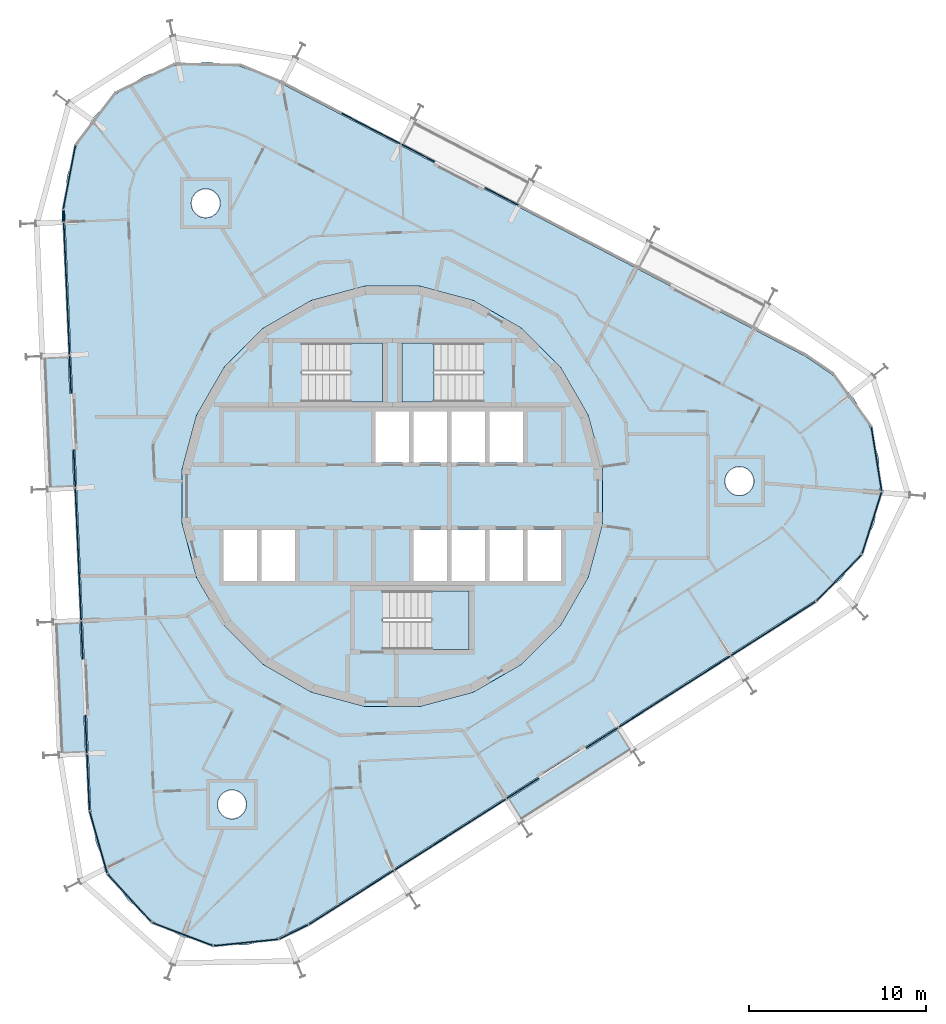
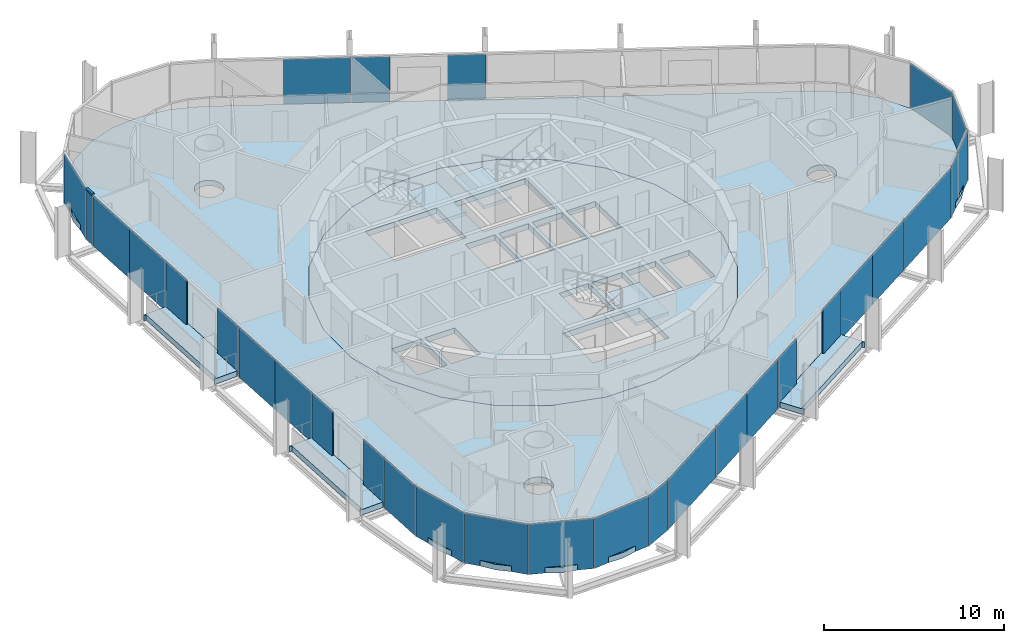
# One storey, part 10 of 17: 30 plates, 8 slabs, 1 member, 9 elements without a shape of their own.
"""IFC4 building model written with IfcOpenShell, lengths in metres."""

from ifc_helpers import new_model, si_unit, direction, frame, origin, origin_2d, place, context, subcontext, project, spatial, polyline, rectangle, outline, extrude, material, layer, layer_set, material_profile, profile_set, type_object, element, aggregate, save


model = new_model("IFC4")

# Units and contexts
model_context = context("Model", 3, precision=1e-05, world=origin(), true_north=direction((0.0, 1.0)))
body_context = subcontext(model_context, "Body", "Model", "MODEL_VIEW")
ifc_project = project(units=[si_unit("LENGTHUNIT", "METRE"), si_unit("AREAUNIT", "SQUARE_METRE"), si_unit("VOLUMEUNIT", "CUBIC_METRE"), si_unit("PLANEANGLEUNIT", "RADIAN"), si_unit("MASSUNIT", "GRAM", prefix="KILO")], contexts=[model_context])

# Site, building, storey
site_placement = place(None, origin())
site = spatial("IfcSite", under=ifc_project, at=site_placement, CompositionType="ELEMENT")
building_placement = place(site_placement, origin())
building = spatial("IfcBuilding", under=site, at=building_placement, Name="Spindle Arch Residences", CompositionType="ELEMENT")
storey_placement = place(building_placement, frame((0.0, 0.0, 237.199951171875)))
storey = spatial("IfcBuildingStorey", under=building, at=storey_placement, Name="L60", CompositionType="ELEMENT", Elevation=237.199951171875)

# Curtain wall, member
ifc_material_1 = material(Name="Aluminium bronze unitised frame with tinted glass", Category="aluminium")
ifc_layer_1 = layer(ifc_material_1, 0.159912109375)
ifc_layer_set_1 = layer_set([ifc_layer_1], Name="CW-D corner wall on the fillet arcs")
curtain_wall_type_1 = type_object("IfcCurtainWallType", Name="CW-D corner wall on the fillet arcs", PredefinedType="NOTDEFINED", material=ifc_layer_set_1)
curtain_wall_1_placement = place(storey_placement, origin())
curtain_wall_1 = element("IfcCurtainWall", 1, at=curtain_wall_1_placement, inside=storey, type_object=curtain_wall_type_1, Name="CW-D L60 run 3", PredefinedType="NOTDEFINED")
ifc_material_2 = material(Name="Aluminium bronze anodised transom", Category="aluminium")
ifc_material_profile = material_profile(ifc_material_2, rectangle(XDim=0.159912109375, YDim=0.1201171875, at=origin_2d()), Name="TR 120x160")
ifc_profile_set = profile_set([ifc_material_profile], Name="Aluminium bronze anodised transom")
member_type = type_object("IfcMemberType", Name="Bronze transom 120x160", PredefinedType="USERDEFINED", material=ifc_profile_set)
member_placement = place(storey_placement, frame((-18.638916015625, 16.2060546875, 3.06005859375), z_axis=(0.043372874815, -0.999058954081, 0.0), x_axis=(0.999058954081, 0.043372874815, 0.0)))
member = element("IfcMember", 2, at=member_placement, type_object=member_type, Name="CW-D transom 05", ObjectType="TRANSOM", PredefinedType="USERDEFINED", context=body_context, shape_type="SweptSolid", body=[
    extrude(rectangle(XDim=0.159912109375, YDim=0.1201171875, at=origin_2d()), origin(), (0.0, 0.0, 1.0), 0.65869140625),
])

# Slabs
ifc_material_3 = material(Name="Concrete C40/50", Category="concrete")
ifc_layer_2 = layer(ifc_material_3, 0.3798828125)
ifc_layer_set_2 = layer_set([ifc_layer_2], Name="Balcony slab 380")
slab_type_1 = type_object("IfcSlabType", Name="Balcony slab 380", PredefinedType="FLOOR", material=ifc_layer_set_2)
slab_1_placement = place(storey_placement, frame((0.0, 0.0, -0.3798828125)))
element("IfcSlab", 3, at=slab_1_placement, inside=storey, type_object=slab_type_1, Name="Balcony L60 bay 14", PredefinedType="FLOOR", context=body_context, shape_type="SweptSolid", body=[
    extrude(outline(polyline([(-19.845703125, 7.851806640625), (-19.842529296875, 7.777099609375), (-19.692626953125, 7.783447265625), (-19.377197265625, 0.560302734375), (-19.527099609375, 0.5537109375), (-19.52392578125, 0.478759765625), (-18.03515625, 0.5439453125), (-18.12646484375, 2.6318359375), (-17.966552734375, 2.638916015625), (-18.106201171875, 5.8359375), (-18.265869140625, 5.828857421875), (-18.357177734375, 7.9169921875), (-19.845703125, 7.851806640625)])), origin(), (0.0, 0.0, 1.0), 0.3798828125),
])
slab_2_placement = place(storey_placement, frame((0.0, 0.0, -0.3798828125)))
element("IfcSlab", 4, at=slab_2_placement, inside=storey, type_object=slab_type_1, Name="Balcony L60 bay 16", PredefinedType="FLOOR", context=body_context, shape_type="SweptSolid", body=[
    extrude(outline(polyline([(-19.188720703125, -7.19384765625), (-19.185546875, -7.268798828125), (-19.03564453125, -7.26220703125), (-18.72021484375, -14.485595703125), (-18.8701171875, -14.491943359375), (-18.866943359375, -14.56689453125), (-17.37841796875, -14.501953125), (-17.469482421875, -12.413818359375), (-17.3095703125, -12.406982421875), (-17.44921875, -9.2099609375), (-17.609130859375, -9.217041015625), (-17.7001953125, -7.12890625), (-19.188720703125, -7.19384765625)])), origin(), (0.0, 0.0, 1.0), 0.3798828125),
])
slab_3_placement = place(storey_placement, frame((0.0, 0.0, -0.3798828125)))
element("IfcSlab", 5, at=slab_3_placement, inside=storey, type_object=slab_type_1, Name="Balcony L60 bay 22", PredefinedType="FLOOR", context=body_context, shape_type="SweptSolid", body=[
    extrude(outline(polyline([(7.356689453125, -18.41552734375), (7.419921875, -18.375244140625), (7.33935546875, -18.248779296875), (13.437255859375, -14.364013671875), (13.517822265625, -14.490478515625), (13.5810546875, -14.4501953125), (12.780517578125, -13.193603515625), (11.017822265625, -14.316650390625), (10.931884765625, -14.181640625), (8.23291015625, -15.901123046875), (8.31884765625, -16.035888671875), (6.55615234375, -17.158935546875), (7.356689453125, -18.41552734375)])), origin(), (0.0, 0.0, 1.0), 0.3798828125),
])
ifc_material_4 = material(Name="Concrete C50/60", Category="concrete")
ifc_layer_3 = layer(ifc_material_4, 0.3798828125)
ifc_layer_set_3 = layer_set([ifc_layer_3], Name="Core floor slab 380")
slab_type_2 = type_object("IfcSlabType", Name="Core floor slab 380", PredefinedType="FLOOR", material=ifc_layer_set_3)
slab_4_placement = place(storey_placement, frame((0.0, 0.0, -0.3798828125)))
element("IfcSlab", 6, at=slab_4_placement, inside=storey, type_object=slab_type_2, Name="Core floor L60", PredefinedType="FLOOR", context=body_context, shape_type="SweptSolid", body=[
    extrude(outline(polyline([(1.56640625, -11.897216796875), (4.59228515625, -11.086669921875), (7.30517578125, -9.520263671875), (9.520263671875, -7.30517578125), (11.086669921875, -4.59228515625), (11.897216796875, -1.56640625), (11.897216796875, 1.56640625), (11.086669921875, 4.59228515625), (9.520263671875, 7.30517578125), (7.30517578125, 9.520263671875), (4.59228515625, 11.086669921875), (1.56640625, 11.897216796875), (-1.56640625, 11.897216796875), (-4.59228515625, 11.086669921875), (-7.30517578125, 9.520263671875), (-9.520263671875, 7.30517578125), (-11.086669921875, 4.59228515625), (-11.897216796875, 1.56640625), (-11.897216796875, -1.56640625), (-11.086669921875, -4.59228515625), (-9.520263671875, -7.30517578125), (-7.30517578125, -9.520263671875), (-4.59228515625, -11.086669921875), (-1.56640625, -11.897216796875), (1.56640625, -11.897216796875)]), holes=[polyline([(-0.949951171875, 1.89990234375), (0.949951171875, 1.89990234375), (0.949951171875, 4.800048828125), (-0.949951171875, 4.800048828125), (-0.949951171875, 1.89990234375)]), polyline([(1.199951171875, 1.89990234375), (3.10009765625, 1.89990234375), (3.10009765625, 4.800048828125), (1.199951171875, 4.800048828125), (1.199951171875, 1.89990234375)]), polyline([(3.35009765625, 1.89990234375), (5.25, 1.89990234375), (5.25, 4.800048828125), (3.35009765625, 4.800048828125), (3.35009765625, 1.89990234375)]), polyline([(5.5, 1.89990234375), (7.39990234375, 1.89990234375), (7.39990234375, 4.800048828125), (5.5, 4.800048828125), (5.5, 1.89990234375)]), polyline([(-9.550048828125, -4.800048828125), (-7.64990234375, -4.800048828125), (-7.64990234375, -1.89990234375), (-9.550048828125, -1.89990234375), (-9.550048828125, -4.800048828125)]), polyline([(-7.39990234375, -4.800048828125), (-5.5, -4.800048828125), (-5.5, -1.89990234375), (-7.39990234375, -1.89990234375), (-7.39990234375, -4.800048828125)]), polyline([(1.199951171875, -4.800048828125), (3.10009765625, -4.800048828125), (3.10009765625, -1.89990234375), (1.199951171875, -1.89990234375), (1.199951171875, -4.800048828125)]), polyline([(3.35009765625, -4.800048828125), (5.25, -4.800048828125), (5.25, -1.89990234375), (3.35009765625, -1.89990234375), (3.35009765625, -4.800048828125)]), polyline([(5.5, -4.800048828125), (7.39990234375, -4.800048828125), (7.39990234375, -1.89990234375), (5.5, -1.89990234375), (5.5, -4.800048828125)]), polyline([(7.64990234375, -4.800048828125), (9.550048828125, -4.800048828125), (9.550048828125, -1.89990234375), (7.64990234375, -1.89990234375), (7.64990234375, -4.800048828125)]), polyline([(5.1298828125, 8.669921875), (0.550048828125, 8.669921875), (0.550048828125, 5.35009765625), (5.1298828125, 5.35009765625), (5.1298828125, 8.669921875)]), polyline([(-5.1298828125, 5.35009765625), (-0.550048828125, 5.35009765625), (-0.550048828125, 8.669921875), (-5.1298828125, 8.669921875), (-5.1298828125, 5.35009765625)]), polyline([(-0.530029296875, -8.669921875), (4.35009765625, -8.669921875), (4.35009765625, -5.35009765625), (-0.530029296875, -5.35009765625), (-0.530029296875, -8.669921875)])]), origin(), (0.0, 0.0, 1.0), 0.3798828125),
])

# Stair, slab
ifc_material_5 = material(Name="Concrete C50/60", Category="concrete")
stair_type = type_object("IfcStairType", Name="Exit stair 16 risers", PredefinedType="HALF_TURN_STAIR", material=ifc_material_5)
stair_1_placement = place(storey_placement, origin())
stair_1 = element("IfcStair", 7, at=stair_1_placement, inside=storey, type_object=stair_type, Name="L60 Exit stair ST1", PredefinedType="HALF_TURN_STAIR")
ifc_material_6 = material(Name="Concrete C50/60", Category="concrete")
ifc_layer_4 = layer(ifc_material_6, 0.219970703125)
ifc_layer_set_4 = layer_set([ifc_layer_4], Name="Exit stair landing 220")
slab_type_3 = type_object("IfcSlabType", Name="Exit stair landing 220", PredefinedType="LANDING", material=ifc_layer_set_4)
slab_5_placement = place(storey_placement, frame((0.0, 0.0, 1.530029296875)))
slab_5 = element("IfcSlab", 8, at=slab_5_placement, type_object=slab_type_3, Name="ST1 landing 1", PredefinedType="LANDING", context=body_context, shape_type="SweptSolid", body=[
    extrude(outline(polyline([(2.3701171875, 8.669921875), (0.550048828125, 8.669921875), (0.550048828125, 5.35009765625), (2.3701171875, 5.35009765625), (2.3701171875, 8.669921875)])), origin(), (0.0, 0.0, 1.0), 0.219970703125),
])
aggregate(stair_1, [slab_5])

stair_2_placement = place(storey_placement, origin())
stair_2 = element("IfcStair", 9, at=stair_2_placement, inside=storey, type_object=stair_type, Name="L60 Exit stair ST2", PredefinedType="HALF_TURN_STAIR")
slab_6_placement = place(storey_placement, frame((0.0, 0.0, 1.530029296875)))
slab_6 = element("IfcSlab", 10, at=slab_6_placement, type_object=slab_type_3, Name="ST2 landing 1", PredefinedType="LANDING", context=body_context, shape_type="SweptSolid", body=[
    extrude(outline(polyline([(-2.3701171875, 5.35009765625), (-0.550048828125, 5.35009765625), (-0.550048828125, 8.669921875), (-2.3701171875, 8.669921875), (-2.3701171875, 5.35009765625)])), origin(), (0.0, 0.0, 1.0), 0.219970703125),
])
aggregate(stair_2, [slab_6])

stair_3_placement = place(storey_placement, origin())
stair_3 = element("IfcStair", 11, at=stair_3_placement, inside=storey, type_object=stair_type, Name="L60 Exit stair ST3", PredefinedType="HALF_TURN_STAIR")
slab_7_placement = place(storey_placement, frame((0.0, 0.0, 1.530029296875)))
slab_7 = element("IfcSlab", 12, at=slab_7_placement, type_object=slab_type_3, Name="ST3 landing 1", PredefinedType="LANDING", context=body_context, shape_type="SweptSolid", body=[
    extrude(outline(polyline([(2.22998046875, -8.669921875), (4.35009765625, -8.669921875), (4.35009765625, -5.35009765625), (2.22998046875, -5.35009765625), (2.22998046875, -8.669921875)])), origin(), (0.0, 0.0, 1.0), 0.219970703125),
])
aggregate(stair_3, [slab_7])

# Slab
ifc_material_7 = material(Name="Concrete C40/50", Category="concrete")
ifc_layer_5 = layer(ifc_material_7, 0.3798828125)
ifc_layer_set_5 = layer_set([ifc_layer_5], Name="Floor slab 380")
slab_type_4 = type_object("IfcSlabType", Name="Floor slab 380", PredefinedType="FLOOR", material=ifc_layer_set_5)
slab_8_placement = place(storey_placement, frame((0.0, 0.0, -0.3798828125)))
element("IfcSlab", 13, at=slab_8_placement, inside=storey, type_object=slab_type_4, Name="Floor slab L60", PredefinedType="FLOOR", context=body_context, shape_type="SweptSolid", body=[
    extrude(outline(polyline([(-6.45556640625, -25.0029296875), (-8.268798828125, -25.40478515625), (-10.126220703125, -25.3779296875), (-11.92724609375, -24.92333984375), (-13.57470703125, -24.065673828125), (-14.980224609375, -22.85107421875), (-16.067626953125, -21.34521484375), (-16.778564453125, -19.629150390625), (-17.074462890625, -17.79541015625), (-18.560302734375, 16.239501953125), (-18.42529296875, 18.092041015625), (-17.866943359375, 19.863525390625), (-16.914794921875, 21.45849609375), (-15.62060546875, 22.791015625), (-14.053955078125, 23.788818359375), (-12.299560546875, 24.398681640625), (-10.45166015625, 24.587646484375), (-8.610107421875, 24.34521484375), (-6.8740234375, 23.6845703125), (23.343994140625, 7.9541015625), (24.880859375, 6.910888671875), (26.1357421875, 5.54150390625), (27.041015625, 3.91943359375), (27.5478515625, 2.13232421875), (27.62890625, 0.276611328125), (27.27978515625, -1.547607421875), (26.519287109375, -3.242431640625), (25.388427734375, -4.716064453125), (23.948486328125, -5.88916015625), (9.58251953125, -15.041259765625), (-4.78369140625, -24.193603515625), (-6.45556640625, -25.0029296875)]), holes=[polyline([(7.30517578125, -9.520263671875), (9.520263671875, -7.30517578125), (11.086669921875, -4.59228515625), (11.897216796875, -1.56640625), (11.897216796875, 1.56640625), (11.086669921875, 4.59228515625), (9.520263671875, 7.30517578125), (7.30517578125, 9.520263671875), (4.59228515625, 11.086669921875), (1.56640625, 11.897216796875), (-1.56640625, 11.897216796875), (-4.59228515625, 11.086669921875), (-7.30517578125, 9.520263671875), (-9.520263671875, 7.30517578125), (-11.086669921875, 4.59228515625), (-11.897216796875, 1.56640625), (-11.897216796875, -1.56640625), (-11.086669921875, -4.59228515625), (-9.520263671875, -7.30517578125), (-7.30517578125, -9.520263671875), (-4.59228515625, -11.086669921875), (-1.56640625, -11.897216796875), (1.56640625, -11.897216796875), (4.59228515625, -11.086669921875), (7.30517578125, -9.520263671875)]), polyline([(-8.39599609375, -17.904541015625), (-8.31982421875, -17.761962890625), (-8.27294921875, -17.607177734375), (-8.257080078125, -17.4462890625), (-8.27294921875, -17.285400390625), (-8.31982421875, -17.130615234375), (-8.39599609375, -16.988037109375), (-8.49853515625, -16.86279296875), (-8.623779296875, -16.76025390625), (-8.766357421875, -16.68408203125), (-8.921142578125, -16.63720703125), (-9.08203125, -16.621337890625), (-9.242919921875, -16.63720703125), (-9.397705078125, -16.68408203125), (-9.540283203125, -16.76025390625), (-9.665283203125, -16.86279296875), (-9.76806640625, -16.988037109375), (-9.84423828125, -17.130615234375), (-9.89111328125, -17.285400390625), (-9.906982421875, -17.4462890625), (-9.89111328125, -17.607177734375), (-9.84423828125, -17.761962890625), (-9.76806640625, -17.904541015625), (-9.665283203125, -18.02978515625), (-9.540283203125, -18.13232421875), (-9.397705078125, -18.20849609375), (-9.242919921875, -18.25537109375), (-9.08203125, -18.271240234375), (-8.921142578125, -18.25537109375), (-8.766357421875, -18.20849609375), (-8.623779296875, -18.13232421875), (-8.49853515625, -18.02978515625), (-8.39599609375, -17.904541015625)]), polyline([(-9.882080078125, 16.130126953125), (-9.805908203125, 16.272705078125), (-9.7587890625, 16.427490234375), (-9.742919921875, 16.58837890625), (-9.7587890625, 16.749267578125), (-9.805908203125, 16.904052734375), (-9.882080078125, 17.046630859375), (-9.984619140625, 17.171875), (-10.109619140625, 17.2744140625), (-10.252197265625, 17.3505859375), (-10.406982421875, 17.3974609375), (-10.568115234375, 17.413330078125), (-10.72900390625, 17.3974609375), (-10.8837890625, 17.3505859375), (-11.0263671875, 17.2744140625), (-11.1513671875, 17.171875), (-11.25390625, 17.046630859375), (-11.330078125, 16.904052734375), (-11.377197265625, 16.749267578125), (-11.39306640625, 16.58837890625), (-11.377197265625, 16.427490234375), (-11.330078125, 16.272705078125), (-11.25390625, 16.130126953125), (-11.1513671875, 16.0048828125), (-11.0263671875, 15.90234375), (-10.8837890625, 15.826171875), (-10.72900390625, 15.779296875), (-10.568115234375, 15.763427734375), (-10.406982421875, 15.779296875), (-10.252197265625, 15.826171875), (-10.109619140625, 15.90234375), (-9.984619140625, 16.0048828125), (-9.882080078125, 16.130126953125)]), polyline([(20.2333984375, 0.2744140625), (20.3359375, 0.399658203125), (20.412109375, 0.542236328125), (20.458984375, 0.697021484375), (20.47509765625, 0.85791015625), (20.458984375, 1.018798828125), (20.412109375, 1.173583984375), (20.3359375, 1.316162109375), (20.2333984375, 1.44140625), (20.1083984375, 1.5439453125), (19.9658203125, 1.6201171875), (19.810791015625, 1.6669921875), (19.64990234375, 1.682861328125), (19.489013671875, 1.6669921875), (19.334228515625, 1.6201171875), (19.191650390625, 1.5439453125), (19.066650390625, 1.44140625), (18.964111328125, 1.316162109375), (18.8876953125, 1.173583984375), (18.8408203125, 1.018798828125), (18.824951171875, 0.85791015625), (18.8408203125, 0.697021484375), (18.8876953125, 0.542236328125), (18.964111328125, 0.399658203125), (19.066650390625, 0.2744140625), (19.191650390625, 0.171875), (19.334228515625, 0.095703125), (19.489013671875, 0.048828125), (19.64990234375, 0.032958984375), (19.810791015625, 0.048828125), (19.9658203125, 0.095703125), (20.1083984375, 0.171875), (20.2333984375, 0.2744140625)])]), origin(), (0.0, 0.0, 1.0), 0.3798828125),
])

# Curtain wall, plates
curtain_wall_2_placement = place(storey_placement, origin())
curtain_wall_2 = element("IfcCurtainWall", 14, at=curtain_wall_2_placement, inside=storey, type_object=curtain_wall_type_1, Name="CW-D L60 run 1", PredefinedType="NOTDEFINED")
ifc_material_8 = material(Name="Tinted double glazing over aluminium faced non-combustible spandrel zone (K0)", Category="aluminium")
ifc_layer_6 = layer(ifc_material_8, 0.06005859375)
ifc_layer_set_6 = layer_set([ifc_layer_6], Name="Unitised glass panel with E 60 spandrel zone")
plate_type = type_object("IfcPlateType", Name="Unitised glass panel with E 60 spandrel zone", PredefinedType="CURTAIN_PANEL", material=ifc_layer_set_6)
plate_1_placement = place(storey_placement, frame((21.571533203125, -7.498291015625, -0.3798828125), z_axis=(0.0, 0.0, 1.0), x_axis=(0.843391445813, 0.537299608347, 0.0)))
plate_1 = element("IfcPlate", 15, at=plate_1_placement, type_object=plate_type, Name="CW-D unit 00", PredefinedType="CURTAIN_PANEL", context=body_context, shape_type="SweptSolid", body=[
    extrude(rectangle(XDim=5.678466796875, YDim=0.06005859375, at=origin_2d()), origin(), (0.0, 0.0, 1.0), 3.3798828125),
])
plate_2_placement = place(storey_placement, frame((25.28955078125, -4.6201171875, -0.3798828125), z_axis=(0.0, 0.0, 1.0), x_axis=(0.696747904692, 0.71731607908, 0.0)))
plate_2 = element("IfcPlate", 16, at=plate_2_placement, type_object=plate_type, Name="CW-D unit 01", PredefinedType="CURTAIN_PANEL", context=body_context, shape_type="SweptSolid", body=[
    extrude(rectangle(XDim=3.666748046875, YDim=0.06005859375, at=origin_2d()), origin(), (0.0, 0.0, 1.0), 3.3798828125),
])
plate_3_placement = place(storey_placement, frame((27.148193359375, -1.50634765625, -0.3798828125), z_axis=(0.0, 0.0, 1.0), x_axis=(0.300705803932, 0.953716949352, 0.0)))
plate_3 = element("IfcPlate", 17, at=plate_3_placement, type_object=plate_type, Name="CW-D unit 02", PredefinedType="CURTAIN_PANEL", context=body_context, shape_type="SweptSolid", body=[
    extrude(rectangle(XDim=3.666748046875, YDim=0.06005859375, at=origin_2d()), origin(), (0.0, 0.0, 1.0), 3.3798828125),
])
plate_4_placement = place(storey_placement, frame((27.411865234375, 2.1103515625, -0.3798828125), z_axis=(0.0, 0.0, 1.0), x_axis=(-0.15930686075, 0.987229114298, 0.0)))
plate_4 = element("IfcPlate", 18, at=plate_4_placement, type_object=plate_type, Name="CW-D unit 03", PredefinedType="CURTAIN_PANEL", context=body_context, shape_type="SweptSolid", body=[
    extrude(rectangle(XDim=3.666748046875, YDim=0.06005859375, at=origin_2d()), origin(), (0.0, 0.0, 1.0), 3.3798828125),
])
aggregate(curtain_wall_2, [plate_1, plate_2, plate_3, plate_4])

ifc_material_9 = material(Name="Aluminium bronze unitised frame with tinted glass", Category="aluminium")
ifc_layer_7 = layer(ifc_material_9, 0.159912109375)
ifc_layer_set_7 = layer_set([ifc_layer_7], Name="CW-C typical residential unitised wall")
curtain_wall_type_2 = type_object("IfcCurtainWallType", Name="CW-C typical residential unitised wall", PredefinedType="NOTDEFINED", material=ifc_layer_set_7)
curtain_wall_3_placement = place(storey_placement, origin())
curtain_wall_3 = element("IfcCurtainWall", 19, at=curtain_wall_3_placement, inside=storey, type_object=curtain_wall_type_2, Name="CW-C L60 run 2", PredefinedType="NOTDEFINED")
plate_5_placement = place(storey_placement, frame((6.185302734375, 16.9765625, -0.3798828125), z_axis=(0.0, 0.0, 1.0), x_axis=(-0.887010833178, 0.461748613235, 0.0)))
plate_5 = element("IfcPlate", 20, at=plate_5_placement, type_object=plate_type, Name="CW-C unit 07L", PredefinedType="CURTAIN_PANEL", context=body_context, shape_type="SweptSolid", body=[
    extrude(rectangle(XDim=2.135009765625, YDim=0.06005859375, at=origin_2d()), origin(), (0.0, 0.0, 1.0), 3.3798828125),
])
plate_6_placement = place(storey_placement, frame((1.452880859375, 19.43994140625, -0.3798828125), z_axis=(0.0, 0.0, 1.0), x_axis=(-0.887010833178, 0.461748613235, 0.0)))
plate_6 = element("IfcPlate", 21, at=plate_6_placement, type_object=plate_type, Name="CW-C unit 07R", PredefinedType="CURTAIN_PANEL", context=body_context, shape_type="SweptSolid", body=[
    extrude(rectangle(XDim=2.135009765625, YDim=0.06005859375, at=origin_2d()), origin(), (0.0, 0.0, 1.0), 3.3798828125),
])
plate_7_placement = place(storey_placement, frame((-1.20361328125, 20.822998046875, -0.3798828125), z_axis=(0.0, 0.0, 1.0), x_axis=(-0.887010833178, 0.461748613235, 0.0)))
plate_7 = element("IfcPlate", 22, at=plate_7_placement, type_object=plate_type, Name="CW-C unit 08A", PredefinedType="CURTAIN_PANEL", context=body_context, shape_type="SweptSolid", body=[
    extrude(rectangle(XDim=3.735107421875, YDim=0.06005859375, at=origin_2d()), origin(), (0.0, 0.0, 1.0), 3.3798828125),
])
aggregate(curtain_wall_3, [plate_5, plate_6, plate_7])

# Plate
plate_8_placement = place(storey_placement, frame((-18.2900390625, 18.066162109375, -0.3798828125), z_axis=(0.0, 0.0, 1.0), x_axis=(-0.187952756314, -0.982178070104, 0.0)))
plate_8 = element("IfcPlate", 23, at=plate_8_placement, type_object=plate_type, Name="CW-D unit 04", PredefinedType="CURTAIN_PANEL", context=body_context, shape_type="SweptSolid", body=[
    extrude(rectangle(XDim=3.666748046875, YDim=0.06005859375, at=origin_2d()), origin(), (0.0, 0.0, 1.0), 3.3798828125),
])

plate_9_placement = place(storey_placement, frame((-18.62451171875, 15.877197265625, -0.3798828125), z_axis=(0.0, 0.0, 1.0), x_axis=(0.043619387365, -0.999048221582, 0.0)))
plate_9 = element("IfcPlate", 24, at=plate_9_placement, type_object=plate_type, Name="CW-D unit 05", PredefinedType="CURTAIN_PANEL", context=body_context, shape_type="SweptSolid", body=[
    extrude(rectangle(XDim=0.658447265625, YDim=0.06005859375, at=origin_2d()), origin(), (0.0, 0.0, 1.0), 3.3798828125),
])

aggregate(curtain_wall_1, [plate_8, member, plate_9])

# Curtain wall, plates
curtain_wall_4_placement = place(storey_placement, origin())
curtain_wall_4 = element("IfcCurtainWall", 25, at=curtain_wall_4_placement, inside=storey, type_object=curtain_wall_type_2, Name="CW-C L60 run 4", PredefinedType="NOTDEFINED")
plate_10_placement = place(storey_placement, frame((-18.526123046875, 13.62255859375, -0.3798828125), z_axis=(0.0, 0.0, 1.0), x_axis=(0.043619387365, -0.999048221582, 0.0)))
plate_10 = element("IfcPlate", 26, at=plate_10_placement, type_object=plate_type, Name="CW-C unit 12A", PredefinedType="CURTAIN_PANEL", context=body_context, shape_type="SweptSolid", body=[
    extrude(rectangle(XDim=3.735107421875, YDim=0.06005859375, at=origin_2d()), origin(), (0.0, 0.0, 1.0), 3.3798828125),
])
plate_11_placement = place(storey_placement, frame((-18.36328125, 9.89111328125, -0.3798828125), z_axis=(0.0, 0.0, 1.0), x_axis=(0.043619387365, -0.999048221582, 0.0)))
plate_11 = element("IfcPlate", 27, at=plate_11_placement, type_object=plate_type, Name="CW-C unit 12B", PredefinedType="CURTAIN_PANEL", context=body_context, shape_type="SweptSolid", body=[
    extrude(rectangle(XDim=3.735107421875, YDim=0.06005859375, at=origin_2d()), origin(), (0.0, 0.0, 1.0), 3.3798828125),
])
plate_12_placement = place(storey_placement, frame((-18.232666015625, 6.89892578125, -0.3798828125), z_axis=(0.0, 0.0, 1.0), x_axis=(0.043619387365, -0.999048221582, 0.0)))
plate_12 = element("IfcPlate", 28, at=plate_12_placement, type_object=plate_type, Name="CW-C unit 13L", PredefinedType="CURTAIN_PANEL", context=body_context, shape_type="SweptSolid", body=[
    extrude(rectangle(XDim=2.135009765625, YDim=0.06005859375, at=origin_2d()), origin(), (0.0, 0.0, 1.0), 3.3798828125),
])
plate_13_placement = place(storey_placement, frame((-18.0, 1.56884765625, -0.3798828125), z_axis=(0.0, 0.0, 1.0), x_axis=(0.043619387365, -0.999048221582, 0.0)))
plate_13 = element("IfcPlate", 29, at=plate_13_placement, type_object=plate_type, Name="CW-C unit 13R", PredefinedType="CURTAIN_PANEL", context=body_context, shape_type="SweptSolid", body=[
    extrude(rectangle(XDim=2.135009765625, YDim=0.06005859375, at=origin_2d()), origin(), (0.0, 0.0, 1.0), 3.3798828125),
])
plate_14_placement = place(storey_placement, frame((-17.869384765625, -1.42333984375, -0.3798828125), z_axis=(0.0, 0.0, 1.0), x_axis=(0.043619387365, -0.999048221582, 0.0)))
plate_14 = element("IfcPlate", 30, at=plate_14_placement, type_object=plate_type, Name="CW-C unit 14A", PredefinedType="CURTAIN_PANEL", context=body_context, shape_type="SweptSolid", body=[
    extrude(rectangle(XDim=3.735107421875, YDim=0.06005859375, at=origin_2d()), origin(), (0.0, 0.0, 1.0), 3.3798828125),
])
plate_15_placement = place(storey_placement, frame((-17.706298828125, -5.15478515625, -0.3798828125), z_axis=(0.0, 0.0, 1.0), x_axis=(0.043619387365, -0.999048221582, 0.0)))
plate_15 = element("IfcPlate", 31, at=plate_15_placement, type_object=plate_type, Name="CW-C unit 14B", PredefinedType="CURTAIN_PANEL", context=body_context, shape_type="SweptSolid", body=[
    extrude(rectangle(XDim=3.735107421875, YDim=0.06005859375, at=origin_2d()), origin(), (0.0, 0.0, 1.0), 3.3798828125),
])
plate_16_placement = place(storey_placement, frame((-17.57568359375, -8.14697265625, -0.3798828125), z_axis=(0.0, 0.0, 1.0), x_axis=(0.043619387365, -0.999048221582, 0.0)))
plate_16 = element("IfcPlate", 32, at=plate_16_placement, type_object=plate_type, Name="CW-C unit 15L", PredefinedType="CURTAIN_PANEL", context=body_context, shape_type="SweptSolid", body=[
    extrude(rectangle(XDim=2.135009765625, YDim=0.06005859375, at=origin_2d()), origin(), (0.0, 0.0, 1.0), 3.3798828125),
])
plate_17_placement = place(storey_placement, frame((-17.343017578125, -13.47705078125, -0.3798828125), z_axis=(0.0, 0.0, 1.0), x_axis=(0.043619387365, -0.999048221582, 0.0)))
plate_17 = element("IfcPlate", 33, at=plate_17_placement, type_object=plate_type, Name="CW-C unit 15R", PredefinedType="CURTAIN_PANEL", context=body_context, shape_type="SweptSolid", body=[
    extrude(rectangle(XDim=2.135009765625, YDim=0.06005859375, at=origin_2d()), origin(), (0.0, 0.0, 1.0), 3.3798828125),
])
aggregate(curtain_wall_4, [plate_10, plate_11, plate_12, plate_13, plate_14, plate_15, plate_16, plate_17])

curtain_wall_5_placement = place(storey_placement, origin())
curtain_wall_5 = element("IfcCurtainWall", 34, at=curtain_wall_5_placement, inside=storey, type_object=curtain_wall_type_1, Name="CW-D L60 run 5", PredefinedType="NOTDEFINED")
plate_18_placement = place(storey_placement, frame((-17.224609375, -16.18603515625, -0.3798828125), z_axis=(0.0, 0.0, 1.0), x_axis=(0.043619387365, -0.999048221582, 0.0)))
plate_18 = element("IfcPlate", 35, at=plate_18_placement, type_object=plate_type, Name="CW-D unit 00", PredefinedType="CURTAIN_PANEL", context=body_context, shape_type="SweptSolid", body=[
    extrude(rectangle(XDim=3.16845703125, YDim=0.06005859375, at=origin_2d()), origin(), (0.0, 0.0, 1.0), 3.3798828125),
])
plate_19_placement = place(storey_placement, frame((-16.64599609375, -19.591552734375, -0.3798828125), z_axis=(0.0, 0.0, 1.0), x_axis=(0.272839997585, -0.962059424213, 0.0)))
plate_19 = element("IfcPlate", 36, at=plate_19_placement, type_object=plate_type, Name="CW-D unit 01", PredefinedType="CURTAIN_PANEL", context=body_context, shape_type="SweptSolid", body=[
    extrude(rectangle(XDim=3.666748046875, YDim=0.06005859375, at=origin_2d()), origin(), (0.0, 0.0, 1.0), 3.3798828125),
])
plate_20_placement = place(storey_placement, frame((-14.878662109375, -22.758056640625, -0.3798828125), z_axis=(0.0, 0.0, 1.0), x_axis=(0.675590207538, -0.737277336881, 0.0)))
plate_20 = element("IfcPlate", 37, at=plate_20_placement, type_object=plate_type, Name="CW-D unit 02", PredefinedType="CURTAIN_PANEL", context=body_context, shape_type="SweptSolid", body=[
    extrude(rectangle(XDim=3.666748046875, YDim=0.06005859375, at=origin_2d()), origin(), (0.0, 0.0, 1.0), 3.3798828125),
])
plate_21_placement = place(storey_placement, frame((-11.878173828125, -24.79443359375, -0.3798828125), z_axis=(0.0, 0.0, 1.0), x_axis=(0.934618925661, -0.355650760994, 0.0)))
plate_21 = element("IfcPlate", 38, at=plate_21_placement, type_object=plate_type, Name="CW-D unit 03", PredefinedType="CURTAIN_PANEL", context=body_context, shape_type="SweptSolid", body=[
    extrude(rectangle(XDim=3.666748046875, YDim=0.06005859375, at=origin_2d()), origin(), (0.0, 0.0, 1.0), 3.3798828125),
])
plate_22_placement = place(storey_placement, frame((-8.282958984375, -25.267822265625, -0.3798828125), z_axis=(0.0, 0.0, 1.0), x_axis=(0.994821748016, 0.10163508092, 0.0)))
plate_22 = element("IfcPlate", 39, at=plate_22_placement, type_object=plate_type, Name="CW-D unit 04", PredefinedType="CURTAIN_PANEL", context=body_context, shape_type="SweptSolid", body=[
    extrude(rectangle(XDim=3.666748046875, YDim=0.06005859375, at=origin_2d()), origin(), (0.0, 0.0, 1.0), 3.3798828125),
])
plate_23_placement = place(storey_placement, frame((-5.5849609375, -24.669677734375, -0.3798828125), z_axis=(0.0, 0.0, 1.0), x_axis=(0.900065409973, 0.435754813823, 0.0)))
plate_23 = element("IfcPlate", 40, at=plate_23_placement, type_object=plate_type, Name="CW-D unit 05", PredefinedType="CURTAIN_PANEL", context=body_context, shape_type="SweptSolid", body=[
    extrude(rectangle(XDim=1.816162109375, YDim=0.06005859375, at=origin_2d()), origin(), (0.0, 0.0, 1.0), 3.3798828125),
])
plate_24_placement = place(storey_placement, frame((-2.32080078125, -22.71923828125, -0.3798828125), z_axis=(0.0, 0.0, 1.0), x_axis=(0.843391445813, 0.537299608347, 0.0)))
plate_24 = element("IfcPlate", 41, at=plate_24_placement, type_object=plate_type, Name="CW-D unit 06", PredefinedType="CURTAIN_PANEL", context=body_context, shape_type="SweptSolid", body=[
    extrude(rectangle(XDim=5.678466796875, YDim=0.06005859375, at=origin_2d()), origin(), (0.0, 0.0, 1.0), 3.3798828125),
])
aggregate(curtain_wall_5, [plate_18, plate_19, plate_20, plate_21, plate_22, plate_23, plate_24])

curtain_wall_6_placement = place(storey_placement, origin())
curtain_wall_6 = element("IfcCurtainWall", 42, at=curtain_wall_6_placement, inside=storey, type_object=curtain_wall_type_2, Name="CW-C L60 run 6", PredefinedType="NOTDEFINED")
plate_25_placement = place(storey_placement, frame((1.699462890625, -20.158203125, -0.3798828125), z_axis=(0.0, 0.0, 1.0), x_axis=(0.843391445813, 0.537299608347, 0.0)))
plate_25 = element("IfcPlate", 43, at=plate_25_placement, type_object=plate_type, Name="CW-C unit 20A", PredefinedType="CURTAIN_PANEL", context=body_context, shape_type="SweptSolid", body=[
    extrude(rectangle(XDim=3.735107421875, YDim=0.06005859375, at=origin_2d()), origin(), (0.0, 0.0, 1.0), 3.3798828125),
])
plate_26_placement = place(storey_placement, frame((4.849609375, -18.1513671875, -0.3798828125), z_axis=(0.0, 0.0, 1.0), x_axis=(0.843391445813, 0.537299608347, 0.0)))
plate_26 = element("IfcPlate", 44, at=plate_26_placement, type_object=plate_type, Name="CW-C unit 20B", PredefinedType="CURTAIN_PANEL", context=body_context, shape_type="SweptSolid", body=[
    extrude(rectangle(XDim=3.735107421875, YDim=0.06005859375, at=origin_2d()), origin(), (0.0, 0.0, 1.0), 3.3798828125),
])
plate_27_placement = place(storey_placement, frame((7.37548828125, -16.5419921875, -0.3798828125), z_axis=(0.0, 0.0, 1.0), x_axis=(0.843391445813, 0.537299608347, 0.0)))
plate_27 = element("IfcPlate", 45, at=plate_27_placement, type_object=plate_type, Name="CW-C unit 21L", PredefinedType="CURTAIN_PANEL", context=body_context, shape_type="SweptSolid", body=[
    extrude(rectangle(XDim=2.135009765625, YDim=0.06005859375, at=origin_2d()), origin(), (0.0, 0.0, 1.0), 3.3798828125),
])
plate_28_placement = place(storey_placement, frame((11.875244140625, -13.675537109375, -0.3798828125), z_axis=(0.0, 0.0, 1.0), x_axis=(0.843391445813, 0.537299608347, 0.0)))
plate_28 = element("IfcPlate", 46, at=plate_28_placement, type_object=plate_type, Name="CW-C unit 21R", PredefinedType="CURTAIN_PANEL", context=body_context, shape_type="SweptSolid", body=[
    extrude(rectangle(XDim=2.135009765625, YDim=0.06005859375, at=origin_2d()), origin(), (0.0, 0.0, 1.0), 3.3798828125),
])
plate_29_placement = place(storey_placement, frame((14.401123046875, -12.06640625, -0.3798828125), z_axis=(0.0, 0.0, 1.0), x_axis=(0.843391445813, 0.537299608347, 0.0)))
plate_29 = element("IfcPlate", 47, at=plate_29_placement, type_object=plate_type, Name="CW-C unit 00A", PredefinedType="CURTAIN_PANEL", context=body_context, shape_type="SweptSolid", body=[
    extrude(rectangle(XDim=3.735107421875, YDim=0.06005859375, at=origin_2d()), origin(), (0.0, 0.0, 1.0), 3.3798828125),
])
plate_30_placement = place(storey_placement, frame((17.55126953125, -10.0595703125, -0.3798828125), z_axis=(0.0, 0.0, 1.0), x_axis=(0.843391445813, 0.537299608347, 0.0)))
plate_30 = element("IfcPlate", 48, at=plate_30_placement, type_object=plate_type, Name="CW-C unit 00B", PredefinedType="CURTAIN_PANEL", context=body_context, shape_type="SweptSolid", body=[
    extrude(rectangle(XDim=3.735107421875, YDim=0.06005859375, at=origin_2d()), origin(), (0.0, 0.0, 1.0), 3.3798828125),
])
aggregate(curtain_wall_6, [plate_25, plate_26, plate_27, plate_28, plate_29, plate_30])

save(model, "model.ifc")
